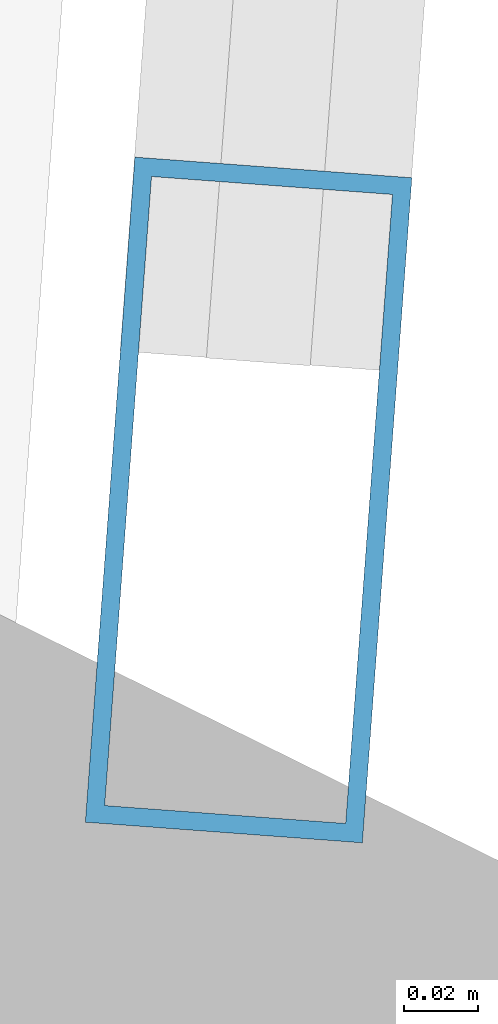
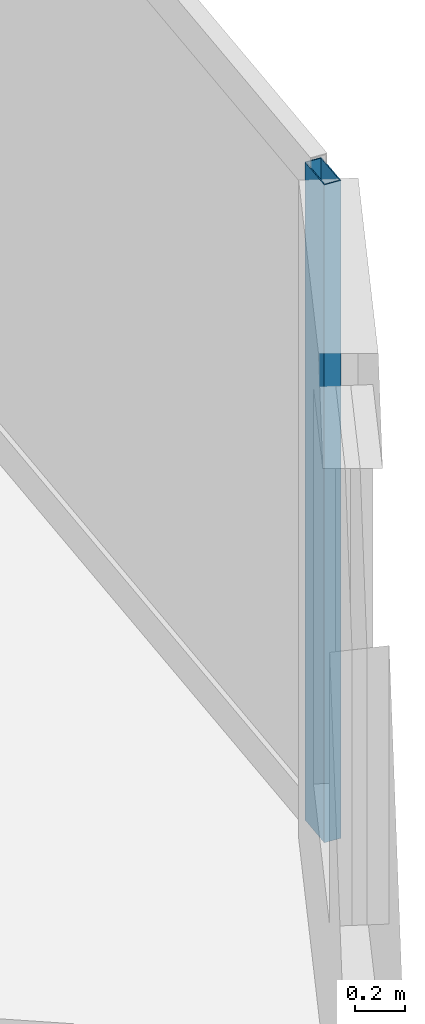
# One storey, part 6 of 20: 1 member, 1 element without a shape of its own.
"""IFC4 building model written with IfcOpenShell, lengths in metres."""

import ifcopenshell
import ifcopenshell.guid

model = None  # the IFC model being written
_history = None  # IfcOwnerHistory: only IFC2X3 demands one
_inside = {}  # id of a spatial element -> (the spatial element, [elements in it])
_under = {}  # id of a project, library or spatial element -> (it, [spatial elements below it])
_declared = {}  # id of a project -> (the project, [libraries it declares])
_typed = {}  # id of a type object -> (the type object, [elements of that type])
_made_of = {}  # id of a material, layer set ... -> (it, [elements and type objects made of it])


def new_model(schema):
    """Start an empty IFC model of exactly this schema.

    Asked for "IFC4X3", IfcOpenShell would pick the latest addendum, in which some entities
    have other attributes; the version numbers below select the first issue.
    IFC2X3 requires an IfcOwnerHistory on every rooted entity: one is made here for all.
    """
    global model, _history
    if schema == "IFC4X3":
        model = ifcopenshell.file(schema_version=(4, 3, 0, 0))
    else:
        model = ifcopenshell.file(schema=schema)
    _inside.clear()
    _under.clear()
    _declared.clear()
    _typed.clear()
    _made_of.clear()
    _history = None
    if model.schema == "IFC2X3":
        org = make("IfcOrganization", Name="unknown")
        user = make(
            "IfcPersonAndOrganization",
            ThePerson=make("IfcPerson", FamilyName="unknown"),
            TheOrganization=org,
        )
        app = make(
            "IfcApplication",
            ApplicationDeveloper=org,
            Version="unknown",
            ApplicationFullName="unknown",
            ApplicationIdentifier="unknown",
        )
        _history = make(
            "IfcOwnerHistory",
            OwningUser=user,
            OwningApplication=app,
            ChangeAction="ADDED",
            CreationDate=0,
        )
    return model


def make(cls, **values):
    """One entity of the class cls with the attributes given. An attribute that is None is left unset."""
    return model.create_entity(
        cls, **{name: value for name, value in values.items() if value is not None}
    )


def rooted(cls, **values):
    """An entity with a GlobalId (a new one), such as an element, a storey or a relation."""
    return make(cls, GlobalId=ifcopenshell.guid.new(), OwnerHistory=_history, **values)


def si_unit(unit_type, name, prefix=None):
    """IfcSIUnit, for example si_unit("LENGTHUNIT", "METRE", prefix="MILLI")."""
    return make("IfcSIUnit", UnitType=unit_type, Prefix=prefix, Name=name)


def assignment(units):
    """IfcUnitAssignment: the units of a project."""
    return None if units is None else make("IfcUnitAssignment", Units=units)


def point(xyz):
    """IfcCartesianPoint."""
    return None if xyz is None else make("IfcCartesianPoint", Coordinates=xyz)


def direction(xyz):
    """IfcDirection."""
    return None if xyz is None else make("IfcDirection", DirectionRatios=xyz)


def frame(location, z_axis=None, x_axis=None):
    """IfcAxis2Placement3D, a coordinate frame: its origin and axes. An axis left out is left unset."""
    return make(
        "IfcAxis2Placement3D",
        Location=point(location),
        Axis=direction(z_axis),
        RefDirection=direction(x_axis),
    )


def frame_2d(location, x_axis=None):
    """IfcAxis2Placement2D, a coordinate frame in the plane: its origin and x axis."""
    return make(
        "IfcAxis2Placement2D", Location=point(location), RefDirection=direction(x_axis)
    )


def origin():
    """The frame at (0, 0, 0) with its axes left unset."""
    return frame((0.0, 0.0, 0.0))


def origin_2d():
    """The frame at (0, 0) in the plane with its x axis left unset."""
    return frame_2d((0.0, 0.0))


def place(relative_to, where):
    """IfcLocalPlacement: puts the frame where relative to a parent placement (None: the world)."""
    return make(
        "IfcLocalPlacement", PlacementRelTo=relative_to, RelativePlacement=where
    )


def context(
    kind, dimensions, precision=None, world=None, true_north=None, identifier=None
):
    """IfcGeometricRepresentationContext, for example the 3D "Model" context."""
    return make(
        "IfcGeometricRepresentationContext",
        ContextIdentifier=identifier,
        ContextType=kind,
        CoordinateSpaceDimension=dimensions,
        Precision=precision,
        WorldCoordinateSystem=world,
        TrueNorth=true_north,
    )


def subcontext(parent, identifier, kind, view, scale=None):
    """IfcGeometricRepresentationSubContext, for example "Body" below "Model"."""
    return make(
        "IfcGeometricRepresentationSubContext",
        ContextIdentifier=identifier,
        ContextType=kind,
        ParentContext=parent,
        TargetScale=scale,
        TargetView=view,
    )


def project(units=None, contexts=None):
    """IfcProject with its units and contexts."""
    return rooted(
        "IfcProject",
        Name="project",
        RepresentationContexts=contexts,
        UnitsInContext=assignment(units),
    )


def spatial(cls, under=None, at=None, **own):
    """A site, building, storey or space (cls), placed at a placement, below another one or the project."""
    s = rooted(cls, ObjectPlacement=at, **own)
    if under is not None:
        _under.setdefault(under.id(), (under, []))[1].append(s)
    return s


def profile(cls, at=None, kind="AREA", **sizes):
    """A parametric profile (cls). Its sizes go by their IFC names, for example OverallWidth=200.0."""
    return make(cls, ProfileType=kind, Position=at, **sizes)


def hollow_rectangle(**sizes):
    """IfcRectangleHollowProfileDef."""
    return profile("IfcRectangleHollowProfileDef", **sizes)


def extrude(swept, where, along, depth):
    """IfcExtrudedAreaSolid: the profile swept, set in the frame where, extruded along a direction by depth."""
    return make(
        "IfcExtrudedAreaSolid",
        SweptArea=swept,
        Position=where,
        ExtrudedDirection=direction(along),
        Depth=depth,
    )


def shape(context_of_items, identifier, shape_type, items):
    """IfcShapeRepresentation: the items that make up one representation, for example the "Body"."""
    return make(
        "IfcShapeRepresentation",
        ContextOfItems=context_of_items,
        RepresentationIdentifier=identifier,
        RepresentationType=shape_type,
        Items=items,
    )


def source(mapping_origin, context_of_items, identifier, shape_type, items):
    """IfcRepresentationMap: a shape defined once, which mapped items show again and again."""
    return make(
        "IfcRepresentationMap",
        MappingOrigin=mapping_origin,
        MappedRepresentation=shape(context_of_items, identifier, shape_type, items),
    )


def transform(
    local_origin,
    x_axis=None,
    y_axis=None,
    z_axis=None,
    scale=None,
    scale2=None,
    scale3=None,
    uniform=True,
):
    """IfcCartesianTransformationOperator3D, or its non-uniform kind. x_axis, y_axis, z_axis: its Axis1, 2, 3."""
    if uniform:
        return make(
            "IfcCartesianTransformationOperator3D",
            Axis1=direction(x_axis),
            Axis2=direction(y_axis),
            LocalOrigin=point(local_origin),
            Scale=scale,
            Axis3=direction(z_axis),
        )
    return make(
        "IfcCartesianTransformationOperator3DnonUniform",
        Axis1=direction(x_axis),
        Axis2=direction(y_axis),
        LocalOrigin=point(local_origin),
        Scale=scale,
        Axis3=direction(z_axis),
        Scale2=scale2,
        Scale3=scale3,
    )


def mapped(mapping_source, mapping_target):
    """IfcMappedItem: shows the shape of a source again, moved by a transform."""
    return make(
        "IfcMappedItem", MappingSource=mapping_source, MappingTarget=mapping_target
    )


def material(Name=None, Category=None):
    """IfcMaterial."""
    return make("IfcMaterial", Name=Name, Category=Category)


def layer(
    of_material, thickness, ventilated=None, Name=None, Category=None, Priority=None
):
    """IfcMaterialLayer: one layer of a wall or slab, of a material (None: an air gap)."""
    return make(
        "IfcMaterialLayer",
        Material=of_material,
        LayerThickness=thickness,
        IsVentilated=ventilated,
        Name=Name,
        Category=Category,
        Priority=Priority,
    )


def layer_set(layers, Name=None):
    """IfcMaterialLayerSet."""
    return make("IfcMaterialLayerSet", MaterialLayers=layers, LayerSetName=Name)


def material_profile(
    of_material, cross_section, Name=None, Category=None, Priority=None
):
    """IfcMaterialProfile: a cross section and its material."""
    return make(
        "IfcMaterialProfile",
        Name=Name,
        Material=of_material,
        Profile=cross_section,
        Priority=Priority,
        Category=Category,
    )


def profile_set(profiles, Name=None, composite=None):
    """IfcMaterialProfileSet."""
    return make(
        "IfcMaterialProfileSet",
        Name=Name,
        MaterialProfiles=profiles,
        CompositeProfile=composite,
    )


def made_of(thing, what):
    """Note that an element or type object is made of a material, layer set ...; save() writes the relation."""
    if what is not None:
        _made_of.setdefault(what.id(), (what, []))[1].append(thing)
    return thing


def type_object(cls, material=None, **own):
    """A type object (cls), such as IfcWallType, which elements share."""
    return made_of(rooted(cls, **own), material)


def type_shapes(of_type, sources):
    """Give a type object the sources (RepresentationMaps) that its elements show as mapped items."""
    of_type.RepresentationMaps = sources


def element(
    cls,
    number,
    at=None,
    inside=None,
    cuts=None,
    type_object=None,
    material=None,
    context=None,
    identifier="Body",
    shape_type=None,
    held_by="IfcProductDefinitionShape",
    body=None,
    shapes=None,
    **own,
):
    """One element of the class cls, such as IfcWall. Its Tag is "e" and its number.

    at: its placement. inside: the storey or other place that contains it. cuts: it is an
    opening in that element (IfcRelVoidsElement). A single representation is given by context,
    identifier, shape_type and body (its items); several are given by shapes. held_by: the class
    of the entity that holds the representations. save() writes the other relations.
    """
    e = rooted(cls, Tag="e%d" % number, ObjectPlacement=at, **own)
    if body is not None:
        shapes = [shape(context, identifier, shape_type, body)]
    if shapes is not None:
        e.Representation = make(held_by, Representations=shapes)
    if inside is not None:
        _inside.setdefault(inside.id(), (inside, []))[1].append(e)
    if cuts is not None:
        rooted(
            "IfcRelVoidsElement", RelatingBuildingElement=cuts, RelatedOpeningElement=e
        )
    if type_object is not None:
        _typed.setdefault(type_object.id(), (type_object, []))[1].append(e)
    return made_of(e, material)


def aggregate(whole, parts):
    """IfcRelAggregates: a whole, such as a stair, and the parts it consists of."""
    return rooted("IfcRelAggregates", RelatingObject=whole, RelatedObjects=parts)


def save(model, path):
    """Write the relations noted so far, then the file.

    IfcRelAggregates (storeys below a building ...), IfcRelContainedInSpatialStructure (elements
    in a storey), IfcRelDefinesByType, IfcRelAssociatesMaterial and IfcRelDeclares: one each for
    every whole, place, type object, material and project.
    """
    for whole, parts in _under.values():
        aggregate(whole, parts)
    for where, things in _inside.values():
        rooted(
            "IfcRelContainedInSpatialStructure",
            RelatedElements=things,
            RelatingStructure=where,
        )
    for kind, things in _typed.values():
        rooted("IfcRelDefinesByType", RelatedObjects=things, RelatingType=kind)
    for what, things in _made_of.values():
        rooted("IfcRelAssociatesMaterial", RelatedObjects=things, RelatingMaterial=what)
    for by, libraries in _declared.values():
        rooted("IfcRelDeclares", RelatingContext=by, RelatedDefinitions=libraries)
    model.write(path)


model = new_model("IFC4")

# Units and contexts
model_context = context("Model", 3, precision=1e-05, world=origin(), true_north=direction((0.0, 1.0)))
body_context = subcontext(model_context, "Body", "Model", "MODEL_VIEW")
ifc_project = project(units=[si_unit("LENGTHUNIT", "METRE"), si_unit("AREAUNIT", "SQUARE_METRE"), si_unit("VOLUMEUNIT", "CUBIC_METRE"), si_unit("PLANEANGLEUNIT", "RADIAN"), si_unit("MASSUNIT", "GRAM", prefix="KILO")], contexts=[model_context])

# Site, building, storey
site_placement = place(None, origin())
site = spatial("IfcSite", under=ifc_project, at=site_placement, CompositionType="ELEMENT")
building_placement = place(site_placement, origin())
building = spatial("IfcBuilding", under=site, at=building_placement, Name="Talar Marvaseh", CompositionType="ELEMENT")
storey_placement = place(building_placement, frame((0.0, 0.0, 215.199951171875)))
storey = spatial("IfcBuildingStorey", under=building, at=storey_placement, Name="L56", CompositionType="ELEMENT", Elevation=215.199951171875)

# Curtain wall, member
ifc_material = material(Name="Architectural Aluminium", Category="aluminium")
ifc_layer = layer(ifc_material, 0.18994140625)
ifc_layer_set = layer_set([ifc_layer], Name="Architectural Aluminium")
curtain_wall_type = type_object("IfcCurtainWallType", Name="Unitised Solar Atelier Curtain Wall Z3", PredefinedType="NOTDEFINED", material=ifc_layer_set)
curtain_wall_placement = place(storey_placement, origin())
curtain_wall = element("IfcCurtainWall", 1, at=curtain_wall_placement, inside=storey, type_object=curtain_wall_type, Name="L56 Unitised Solar Atelier Curtain Wall Z3", PredefinedType="NOTDEFINED")
ifc_material_profile = material_profile(ifc_material, hollow_rectangle(XDim=0.074951171875, YDim=0.179931640625, WallThickness=0.0048828125, at=origin_2d()), Name="RHS180x75x5")
ifc_profile_set = profile_set([ifc_material_profile], Name="Architectural Aluminium")
member_type = type_object("IfcMemberType", Name="Unitised Curtain Wall Standard Mullion RHS180x75x5", PredefinedType="MULLION", material=ifc_profile_set)
shared_shape = source(origin(), body_context, "Body", "SweptSolid", [
    extrude(hollow_rectangle(XDim=0.074951171875, YDim=0.179931640625, WallThickness=0.0048828125, at=origin_2d()), origin(), (0.0, 0.0, 1.0), 3.22998046875),
])
type_shapes(member_type, [shared_shape])
member_placement = place(storey_placement, frame((39.38525390625, 22.532470703125, 0.0), z_axis=(0.0, 0.0, 1.0), x_axis=(0.997238678211, -0.074263171764, 0.0)))
member = element("IfcMember", 2, at=member_placement, type_object=member_type, Name="CW-Z3 mullion 5", PredefinedType="MULLION", context=body_context, shape_type="MappedRepresentation", body=[
    mapped(shared_shape, transform((0.0, 0.0, 0.0), x_axis=(1.0, 0.0, 0.0), y_axis=(0.0, 1.0, 0.0), z_axis=(0.0, 0.0, 1.0), scale=1.0)),
])
aggregate(curtain_wall, [member])

save(model, "model.ifc")
